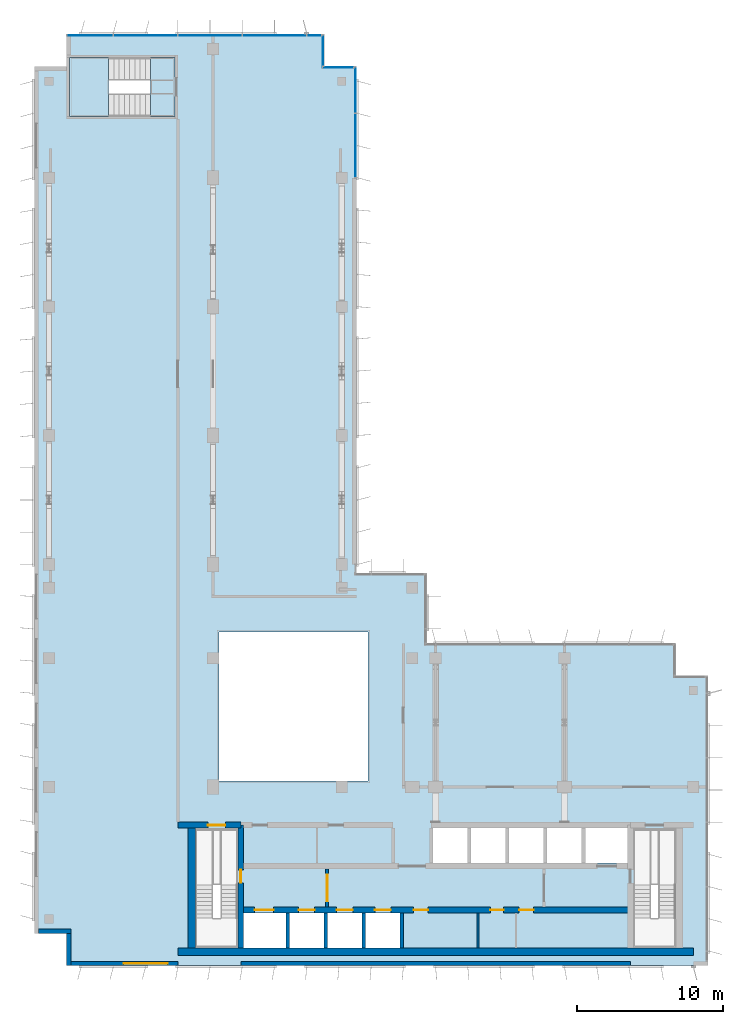
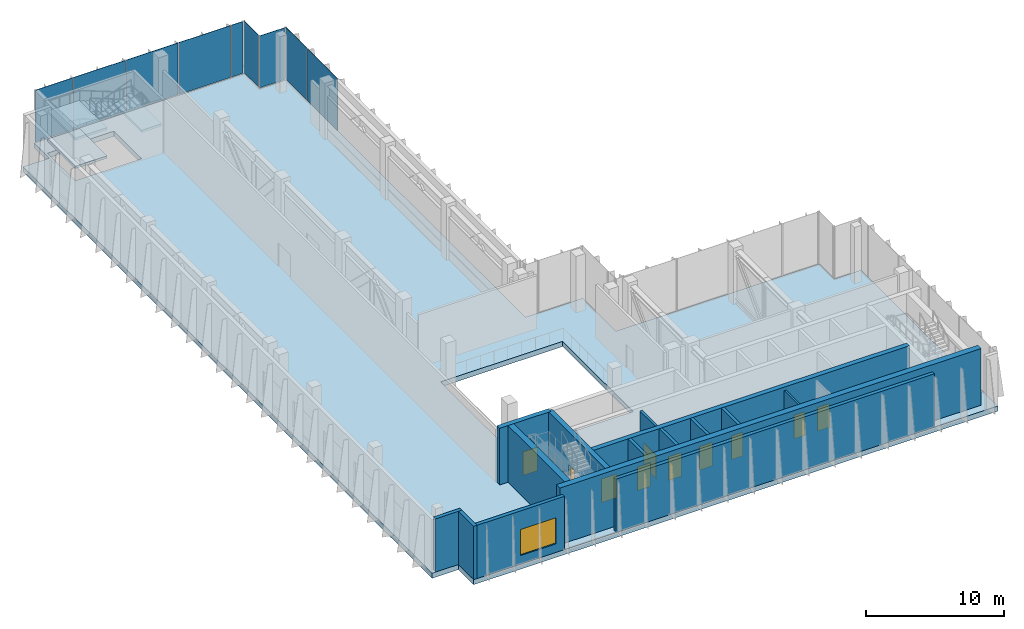
# One storey, part 7 of 13: 15 walls, 10 doors, 9 plates, 4 slabs, 1 window, 11 openings, 5 elements without a shape of their own.
"""IFC4 building model written with IfcOpenShell, lengths in metres."""

from ifc_helpers import new_model, si_unit, direction, frame, frame_2d, origin, origin_2d, place, context, subcontext, project, spatial, polyline, rectangle, outline, extrude, source, transform, mapped, material, layer, layer_set, type_object, element, fill, aggregate, save


model = new_model("IFC4")

# Units and contexts
model_context = context("Model", 3, precision=1e-05, world=origin(), true_north=direction((0.0, 1.0)))
body_context = subcontext(model_context, "Body", "Model", "MODEL_VIEW")
ifc_project = project(units=[si_unit("LENGTHUNIT", "METRE"), si_unit("AREAUNIT", "SQUARE_METRE"), si_unit("VOLUMEUNIT", "CUBIC_METRE"), si_unit("PLANEANGLEUNIT", "RADIAN"), si_unit("MASSUNIT", "GRAM", prefix="KILO")], contexts=[model_context])

# Site, building, storey
site_placement = place(None, origin())
site = spatial("IfcSite", under=ifc_project, at=site_placement, CompositionType="ELEMENT")
building_placement = place(site_placement, origin())
building = spatial("IfcBuilding", under=site, at=building_placement, Name="Kemantara Hotel Tower", CompositionType="ELEMENT")
storey_placement = place(building_placement, frame((0.0, 0.0, 256.10009765625)))
storey = spatial("IfcBuildingStorey", under=building, at=storey_placement, Name="L64", CompositionType="ELEMENT", Elevation=256.10009765625)

# Slab
ifc_material_1 = material(Name="Concrete fc 40 MPa", Category="concrete")
ifc_layer_1 = layer(ifc_material_1, 0.449951171875)
ifc_layer_set_1 = layer_set([ifc_layer_1], Name="Concrete fc 40 MPa")
slab_type_1 = type_object("IfcSlabType", Name="REINFORCED DIAPHRAGM SLAB 450", PredefinedType="FLOOR", material=ifc_layer_set_1)
slab_1_placement = place(storey_placement, frame((0.0, 0.0, -0.4501953125)))
element("IfcSlab", 1, at=slab_1_placement, inside=storey, type_object=slab_type_1, Name="FLOOR SLAB L64", PredefinedType="FLOOR", context=body_context, shape_type="SweptSolid", body=[
    extrude(outline(polyline([(22.0, 26.800048828125), (22.0, 61.39990234375), (19.800048828125, 61.39990234375), (19.800048828125, 63.60009765625), (2.199951171875, 63.60009765625), (2.199951171875, 61.39990234375), (0.0, 61.39990234375), (0.0, 2.199951171875), (2.199951171875, 2.199951171875), (2.199951171875, 0.0), (46.0, 0.0), (46.0, 19.800048828125), (43.800048828125, 19.800048828125), (43.800048828125, 22.0), (26.800048828125, 22.0), (26.800048828125, 26.800048828125), (22.0, 26.800048828125)]), holes=[polyline([(17.175048828125, 3.60009765625), (17.175048828125, 1.199951171875), (14.22509765625, 1.199951171875), (14.22509765625, 3.60009765625), (17.175048828125, 3.60009765625)]), polyline([(19.77490234375, 1.199951171875), (17.425048828125, 1.199951171875), (17.425048828125, 3.60009765625), (19.77490234375, 3.60009765625), (19.77490234375, 1.199951171875)]), polyline([(22.375, 1.199951171875), (20.02490234375, 1.199951171875), (20.02490234375, 3.60009765625), (22.375, 3.60009765625), (22.375, 1.199951171875)]), polyline([(24.97509765625, 3.60009765625), (24.97509765625, 1.199951171875), (22.625, 1.199951171875), (22.625, 3.60009765625), (24.97509765625, 3.60009765625)]), polyline([(11.0, 1.199951171875), (11.0, 5.49951171875), (13.89990234375, 5.49951171875), (13.89990234375, 1.199951171875), (11.0, 1.199951171875)]), polyline([(22.800048828125, 12.60009765625), (12.60009765625, 12.60009765625), (12.60009765625, 22.800048828125), (22.800048828125, 22.800048828125), (22.800048828125, 12.60009765625)]), polyline([(2.39990234375, 58.0), (2.39990234375, 62.0), (7.949462890625, 62.0), (7.949462890625, 58.0), (2.39990234375, 58.0)]), polyline([(40.89990234375, 1.199951171875), (40.89990234375, 5.49951171875), (43.800048828125, 5.49951171875), (43.800048828125, 1.199951171875), (40.89990234375, 1.199951171875)]), polyline([(29.574951171875, 7.0), (27.22509765625, 7.0), (27.22509765625, 9.39990234375), (29.574951171875, 9.39990234375), (29.574951171875, 7.0)]), polyline([(32.175048828125, 7.0), (29.824951171875, 7.0), (29.824951171875, 9.39990234375), (32.175048828125, 9.39990234375), (32.175048828125, 7.0)]), polyline([(34.77490234375, 7.0), (32.425048828125, 7.0), (32.425048828125, 9.39990234375), (34.77490234375, 9.39990234375), (34.77490234375, 7.0)]), polyline([(37.375, 7.0), (35.02490234375, 7.0), (35.02490234375, 9.39990234375), (37.375, 9.39990234375), (37.375, 7.0)]), polyline([(40.574951171875, 7.0), (37.625, 7.0), (37.625, 9.39990234375), (40.574951171875, 9.39990234375), (40.574951171875, 7.0)])]), origin(), (0.0, 0.0, 1.0), 0.4501953125),
])

# Stair, slabs
stair_type = type_object("IfcStairType", Name="Stair 1550 wide 36 risers of 139 x 360 mm", PredefinedType="HALF_TURN_STAIR", material=ifc_material_1)
stair_placement = place(storey_placement, origin())
stair = element("IfcStair", 2, at=stair_placement, inside=storey, type_object=stair_type, Name="L64 Exit stair ST4", PredefinedType="HALF_TURN_STAIR")
ifc_layer_2 = layer(ifc_material_1, 0.199951171875)
ifc_layer_set_2 = layer_set([ifc_layer_2], Name="Concrete fc 40 MPa")
slab_type_2 = type_object("IfcSlabType", Name="Stair landing 200 mm", PredefinedType="LANDING", material=ifc_layer_set_2)
slab_2_placement = place(storey_placement, frame((0.0, 0.0, 1.0498046875)))
slab_2 = element("IfcSlab", 3, at=slab_2_placement, type_object=slab_type_2, Name="ST4 landing 1", PredefinedType="LANDING", context=body_context, shape_type="SweptSolid", body=[
    extrude(outline(polyline([(5.070068359375, 62.0), (2.39990234375, 62.0), (2.39990234375, 58.0), (5.070068359375, 58.0), (5.070068359375, 62.0)])), origin(), (0.0, 0.0, 1.0), 0.2001953125),
])
slab_3_placement = place(storey_placement, frame((0.0, 0.0, 2.2998046875)))
slab_3 = element("IfcSlab", 4, at=slab_3_placement, type_object=slab_type_2, Name="ST4 landing 2", PredefinedType="LANDING", context=body_context, shape_type="SweptSolid", body=[
    extrude(outline(polyline([(9.60009765625, 62.0), (7.949951171875, 62.0), (7.949951171875, 58.0), (9.60009765625, 58.0), (9.60009765625, 62.0)])), origin(), (0.0, 0.0, 1.0), 0.2001953125),
])
slab_4_placement = place(storey_placement, frame((0.0, 0.0, 3.5498046875)))
slab_4 = element("IfcSlab", 5, at=slab_4_placement, type_object=slab_type_2, Name="ST4 landing 3", PredefinedType="LANDING", context=body_context, shape_type="SweptSolid", body=[
    extrude(outline(polyline([(5.070068359375, 62.0), (2.39990234375, 62.0), (2.39990234375, 58.0), (5.070068359375, 58.0), (5.070068359375, 62.0)])), origin(), (0.0, 0.0, 1.0), 0.2001953125),
])
aggregate(stair, [slab_2, slab_3, slab_4])

# Curtain wall, plates
ifc_material_2 = material(Name="Low-E tinted double insulated glass 36 mm", Category="glass")
curtain_wall_type = type_object("IfcCurtainWallType", Name="TOWER CURTAIN WALL, FRONT FACES", PredefinedType="USERDEFINED", material=ifc_material_2)
curtain_wall_1_placement = place(storey_placement, origin())
curtain_wall_1 = element("IfcCurtainWall", 6, at=curtain_wall_1_placement, inside=storey, type_object=curtain_wall_type, Name="CW4 L64 T4-R02-1", ObjectType="TOWER CURTAIN WALL, FRONT FACES", PredefinedType="USERDEFINED")
ifc_layer_3 = layer(ifc_material_2, 0.035888671875)
ifc_layer_set_3 = layer_set([ifc_layer_3], Name="Low-E tinted double insulated glass 36 mm")
plate_type = type_object("IfcPlateType", Name="TOWER CURTAIN WALL, FRONT FACES PANEL", PredefinedType="CURTAIN_PANEL", material=ifc_layer_set_3)
shared_shape_1 = source(origin(), body_context, "Body", "SweptSolid", [
    extrude(rectangle(XDim=4.340087890625, YDim=0.035888671875, at=origin_2d()), origin(), (0.0, 0.0, 1.0), 4.580078125),
])
plate_1_placement = place(storey_placement, frame((16.39990234375, 63.52490234375, 0.119873046875), z_axis=(0.0, 0.0, 1.0), x_axis=(-1.0, 0.0, 0.0)))
plate_1 = element("IfcPlate", 7, at=plate_1_placement, type_object=plate_type, Name="CW4 glass panel T4-R02-1.2", PredefinedType="CURTAIN_PANEL", context=body_context, shape_type="MappedRepresentation", body=[
    mapped(shared_shape_1, transform((0.0, 0.0, 0.0))),
])
plate_2_placement = place(storey_placement, frame((12.0, 63.52490234375, 0.119873046875), z_axis=(0.0, 0.0, 1.0), x_axis=(-1.0, 0.0, 0.0)))
plate_2 = element("IfcPlate", 8, at=plate_2_placement, type_object=plate_type, Name="CW4 glass panel T4-R02-1.3", PredefinedType="CURTAIN_PANEL", context=body_context, shape_type="MappedRepresentation", body=[
    mapped(shared_shape_1, transform((0.0, 0.0, 0.0))),
])
plate_3_placement = place(storey_placement, frame((7.60009765625, 63.52490234375, 0.119873046875), z_axis=(0.0, 0.0, 1.0), x_axis=(-1.0, 0.0, 0.0)))
plate_3 = element("IfcPlate", 9, at=plate_3_placement, type_object=plate_type, Name="CW4 glass panel T4-R02-1.4", PredefinedType="CURTAIN_PANEL", context=body_context, shape_type="MappedRepresentation", body=[
    mapped(shared_shape_1, transform((0.0, 0.0, 0.0))),
])

# Curtain wall, plate
curtain_wall_2_placement = place(storey_placement, origin())
curtain_wall_2 = element("IfcCurtainWall", 10, at=curtain_wall_2_placement, inside=storey, type_object=curtain_wall_type, Name="CW4 L64 T4-R15-2", ObjectType="TOWER CURTAIN WALL, FRONT FACES", PredefinedType="USERDEFINED")
plate_4_placement = place(storey_placement, frame((21.925048828125, 56.0, 0.119873046875), z_axis=(0.0, 0.0, 1.0), x_axis=(0.0, 1.0, 0.0)))
plate_4 = element("IfcPlate", 11, at=plate_4_placement, type_object=plate_type, Name="CW4 glass panel T4-R15-2.1", PredefinedType="CURTAIN_PANEL", context=body_context, shape_type="MappedRepresentation", body=[
    mapped(shared_shape_1, transform((0.0, 0.0, 0.0))),
])

# Plate
shared_shape_2 = source(origin(), body_context, "Body", "SweptSolid", [
    extrude(rectangle(XDim=3.110107421875, YDim=0.035888671875, at=origin_2d()), origin(), (0.0, 0.0, 1.0), 4.580078125),
])
plate_5_placement = place(storey_placement, frame((3.81494140625, 63.52490234375, 0.119873046875), z_axis=(0.0, 0.0, 1.0), x_axis=(-1.0, 0.0, 0.0)))
plate_5 = element("IfcPlate", 12, at=plate_5_placement, type_object=plate_type, Name="CW4 glass panel T4-R02-1.5", PredefinedType="CURTAIN_PANEL", context=body_context, shape_type="MappedRepresentation", body=[
    mapped(shared_shape_2, transform((0.0, 0.0, 0.0))),
])

plate_6_placement = place(storey_placement, frame((21.925048828125, 59.784912109375, 0.119873046875), z_axis=(0.0, 0.0, 1.0), x_axis=(0.0, 1.0, 0.0)))
plate_6 = element("IfcPlate", 13, at=plate_6_placement, type_object=plate_type, Name="CW4 glass panel T4-R15-2.2", PredefinedType="CURTAIN_PANEL", context=body_context, shape_type="MappedRepresentation", body=[
    mapped(shared_shape_2, transform((0.0, 0.0, 0.0))),
])

aggregate(curtain_wall_2, [plate_4, plate_6])

# Curtain wall, plate
curtain_wall_3_placement = place(storey_placement, origin())
curtain_wall_3 = element("IfcCurtainWall", 14, at=curtain_wall_3_placement, inside=storey, type_object=curtain_wall_type, Name="CW4 L64 T4-R00-1", ObjectType="TOWER CURTAIN WALL, FRONT FACES", PredefinedType="USERDEFINED")
shared_shape_3 = source(origin(), body_context, "Body", "SweptSolid", [
    extrude(rectangle(XDim=2.080078125, YDim=0.035888671875, at=origin_2d()), origin(), (0.0, 0.0, 1.0), 4.580078125),
])
plate_7_placement = place(storey_placement, frame((20.75, 61.324951171875, 0.119873046875), z_axis=(0.0, 0.0, 1.0), x_axis=(-1.0, 0.0, 0.0)))
plate_7 = element("IfcPlate", 15, at=plate_7_placement, type_object=plate_type, Name="CW4 glass panel T4-R00-1.1", PredefinedType="CURTAIN_PANEL", context=body_context, shape_type="MappedRepresentation", body=[
    mapped(shared_shape_3, transform((0.0, 0.0, 0.0))),
])
aggregate(curtain_wall_3, [plate_7])

curtain_wall_4_placement = place(storey_placement, origin())
curtain_wall_4 = element("IfcCurtainWall", 16, at=curtain_wall_4_placement, inside=storey, type_object=curtain_wall_type, Name="CW4 L64 T4-R01-1", ObjectType="TOWER CURTAIN WALL, FRONT FACES", PredefinedType="USERDEFINED")
plate_8_placement = place(storey_placement, frame((19.72509765625, 62.5, 0.119873046875), z_axis=(0.0, 0.0, 1.0), x_axis=(0.0, 1.0, 0.0)))
plate_8 = element("IfcPlate", 17, at=plate_8_placement, type_object=plate_type, Name="CW4 glass panel T4-R01-1.1", PredefinedType="CURTAIN_PANEL", context=body_context, shape_type="MappedRepresentation", body=[
    mapped(shared_shape_3, transform((0.0, 0.0, 0.0))),
])
aggregate(curtain_wall_4, [plate_8])

# Plate
shared_shape_4 = source(origin(), body_context, "Body", "SweptSolid", [
    extrude(rectangle(XDim=0.9599609375, YDim=0.035888671875, at=origin_2d()), origin(), (0.0, 0.0, 1.0), 4.580078125),
])
plate_9_placement = place(storey_placement, frame((19.110107421875, 63.52490234375, 0.119873046875), z_axis=(0.0, 0.0, 1.0), x_axis=(-1.0, 0.0, 0.0)))
plate_9 = element("IfcPlate", 18, at=plate_9_placement, type_object=plate_type, Name="CW4 glass panel T4-R02-1.1", PredefinedType="CURTAIN_PANEL", context=body_context, shape_type="MappedRepresentation", body=[
    mapped(shared_shape_4, transform((0.0, 0.0, 0.0))),
])

aggregate(curtain_wall_1, [plate_9, plate_1, plate_2, plate_3, plate_5])

# Walls
ifc_material_3 = material(Name="Bronze anodised aluminium cladding on insulated steel stud wall", Category="steel")
ifc_layer_4 = layer(ifc_material_3, 0.300048828125)
ifc_layer_set_4 = layer_set([ifc_layer_4], Name="Bronze anodised aluminium cladding on insulated steel stud wall")
wall_type_1 = type_object("IfcWallType", Name="BRONZE METAL-CLAD EXTERNAL WALL 300", PredefinedType="STANDARD", material=ifc_layer_set_4)
for number, where, z_axis, x_axis, name in (
    (19, (0.300048828125, 2.35009765625, 0.0), (0.0, 0.0, 1.0), (1.0, 0.0, 0.0), "EXTERNAL WALL L64 T4-R06"),
    (20, (2.35009765625, 2.199951171875, 0.0), (0.0, 0.0, 1.0), (0.0, -1.0, 0.0), "EXTERNAL WALL L64 T4-R07"),
):
    element("IfcWall", number, at=place(storey_placement, frame(where, z_axis=z_axis, x_axis=x_axis)), inside=storey, type_object=wall_type_1, Name=name, PredefinedType="STANDARD", context=body_context, shape_type="SweptSolid", body=[
        extrude(rectangle(XDim=2.199951171875, YDim=0.300048828125, at=frame_2d((1.10009765625, 0.0))), origin(), (0.0, 0.0, 1.0), 4.699951171875),
    ])

# Wall, opening, window
wall_1_placement = place(storey_placement, frame((2.5, 0.14990234375, 0.0), z_axis=(0.0, 0.0, 1.0), x_axis=(1.0, 0.0, 0.0)))
wall_1 = element("IfcWall", 21, at=wall_1_placement, inside=storey, type_object=wall_type_1, Name="EXTERNAL WALL L64 T4-R08", PredefinedType="STANDARD", context=body_context, shape_type="SweptSolid", body=[
    extrude(rectangle(XDim=7.300048828125, YDim=0.300048828125, at=frame_2d((3.64990234375, 0.0))), origin(), (0.0, 0.0, 1.0), 4.699951171875),
])
opening_1_placement = place(wall_1_placement, frame((3.60009765625, 0.0, 0.75)))
opening_1 = element("IfcOpeningElement", 22, at=opening_1_placement, cuts=wall_1, Name="Opening W1", PredefinedType="OPENING", context=body_context, shape_type="SweptSolid", body=[
    extrude(rectangle(XDim=3.0, YDim=2.300048828125, at=frame_2d((1.5, 1.14990234375))), frame((0.0, 0.159912109375, 0.0), z_axis=(0.0, -1.0, 0.0), x_axis=(1.0, 0.0, 0.0)), (0.0, 0.0, 1.0), 0.320068359375),
])
ifc_material_4 = material(Name="Low-E tinted double insulated glass in bronze anodised aluminium frame", Category="aluminium")
window_type = type_object("IfcWindowType", Name="CHICAGO WINDOW, TRIPLE PANEL 3000x2300", PartitioningType="TRIPLE_PANEL_VERTICAL", PredefinedType="WINDOW", material=ifc_material_4)
window_placement = place(opening_1_placement, origin())
window = element("IfcWindow", 23, at=window_placement, inside=storey, type_object=window_type, Name="CHICAGO WINDOW L64 T4-R08-54", OverallHeight=2.300048828125, OverallWidth=3.0, PartitioningType="SINGLE_PANEL", PredefinedType="WINDOW", context=body_context, shape_type="SweptSolid", body=[
    extrude(rectangle(XDim=3.0, YDim=2.300048828125, at=frame_2d((1.5, 1.14990234375))), frame((0.0, 0.030029296875, 0.0), z_axis=(0.0, -1.0, 0.0), x_axis=(1.0, 0.0, 0.0)), (0.0, 0.0, 1.0), 0.06005859375),
])
fill(opening_1, window)

# Walls
wall_2_placement = place(storey_placement, frame((14.10009765625, 0.14990234375, 0.0), z_axis=(0.0, 0.0, 1.0), x_axis=(1.0, 0.0, 0.0)))
element("IfcWall", 24, at=wall_2_placement, inside=storey, type_object=wall_type_1, Name="EXTERNAL WALL L64 T4-R08-2", PredefinedType="STANDARD", context=body_context, shape_type="SweptSolid", body=[
    extrude(rectangle(XDim=26.599853515625, YDim=0.300048828125, at=frame_2d((13.2998046875, 0.0))), origin(), (0.0, 0.0, 1.0), 4.699951171875),
])
ifc_material_5 = material(Name="Concrete fc 60 MPa", Category="concrete")
ifc_layer_5 = layer(ifc_material_5, 0.25)
ifc_layer_set_5 = layer_set([ifc_layer_5], Name="Concrete fc 60 MPa")
wall_type_2 = type_object("IfcWallType", Name="CORE WALL 250 FC60", PredefinedType="SHEAR", material=ifc_layer_set_5)
for number, where, z_axis, x_axis, name in (
    (25, (17.300048828125, 1.199951171875, 0.0), (0.0, 0.0, 1.0), (0.0, 1.0, 0.0), "CORE WALL CW-DS17.3"),
    (26, (19.89990234375, 1.199951171875, 0.0), (0.0, 0.0, 1.0), (0.0, 1.0, 0.0), "CORE WALL CW-DS19.9"),
    (27, (22.5, 1.199951171875, 0.0), (0.0, 0.0, 1.0), (0.0, 1.0, 0.0), "CORE WALL CW-DS22.5"),
    (28, (25.10009765625, 1.199951171875, 0.0), (0.0, 0.0, 1.0), (0.0, 1.0, 0.0), "CORE WALL CW-DS25.1"),
):
    element("IfcWall", number, at=place(storey_placement, frame(where, z_axis=z_axis, x_axis=x_axis)), inside=storey, type_object=wall_type_2, Name=name, PredefinedType="SHEAR", context=body_context, shape_type="SweptSolid", body=[
        extrude(rectangle(XDim=2.400146484375, YDim=0.25, at=frame_2d((1.2001953125, 0.0))), origin(), (0.0, 0.0, 1.0), 5.0),
    ])

# Wall, opening, door
ifc_layer_6 = layer(ifc_material_5, 0.39990234375)
ifc_layer_set_6 = layer_set([ifc_layer_6], Name="Concrete fc 60 MPa")
wall_type_3 = type_object("IfcWallType", Name="CORE WALL 400 FC60", PredefinedType="SHEAR", material=ifc_layer_set_6)
wall_3_placement = place(storey_placement, frame((9.800048828125, 9.60009765625, 0.0), z_axis=(0.0, 0.0, 1.0), x_axis=(1.0, 0.0, 0.0)))
wall_3 = element("IfcWall", 29, at=wall_3_placement, inside=storey, type_object=wall_type_3, Name="CORE WALL CW-N1", PredefinedType="SHEAR", context=body_context, shape_type="SweptSolid", body=[
    extrude(rectangle(XDim=4.300048828125, YDim=0.39990234375, at=frame_2d((2.14990234375, 0.0))), origin(), (0.0, 0.0, 1.0), 5.0),
])
opening_2_placement = place(wall_3_placement, frame((2.050048828125, 0.0, 0.0)))
opening_2 = element("IfcOpeningElement", 30, at=opening_2_placement, cuts=wall_3, Name="Opening C38-ST1-C", PredefinedType="OPENING", context=body_context, shape_type="SweptSolid", body=[
    extrude(rectangle(XDim=1.199951171875, YDim=2.10009765625, at=frame_2d((0.60009765625, 1.050048828125))), frame((0.0, 0.2099609375, 0.0), z_axis=(0.0, -1.0, 0.0), x_axis=(1.0, 0.0, 0.0)), (0.0, 0.0, 1.0), 0.419921875),
])
ifc_material_6 = material(Name="Steel fire door", Category="steel")
door_type_1 = type_object("IfcDoorType", Name="Fire door FD90 1200 x 2100", OperationType="NOTDEFINED", PredefinedType="DOOR", material=ifc_material_6)
door_1_placement = place(opening_2_placement, frame((1.199951171875, 0.0, 0.0), z_axis=(0.0, 0.0, 1.0), x_axis=(-1.0, 0.0, 0.0)))
door_1 = element("IfcDoor", 31, at=door_1_placement, inside=storey, type_object=door_type_1, Name="Stair ST1 door to corridor", OperationType="SINGLE_SWING_LEFT", OverallHeight=2.10009765625, OverallWidth=1.199951171875, PredefinedType="DOOR", context=body_context, shape_type="SweptSolid", body=[
    extrude(rectangle(XDim=1.199951171875, YDim=2.10009765625, at=frame_2d((0.60009765625, 1.050048828125))), frame((0.0, 0.02490234375, 0.0), z_axis=(0.0, -1.0, 0.0), x_axis=(1.0, 0.0, 0.0)), (0.0, 0.0, 1.0), 0.050048828125),
])
fill(opening_2, door_1)

# Wall, openings, doors
wall_4_placement = place(storey_placement, frame((14.10009765625, 3.800048828125, 0.0), z_axis=(0.0, 0.0, 1.0), x_axis=(1.0, 0.0, 0.0)))
wall_4 = element("IfcWall", 32, at=wall_4_placement, inside=storey, type_object=wall_type_3, Name="CORE WALL CW-L1", PredefinedType="SHEAR", context=body_context, shape_type="SweptSolid", body=[
    extrude(rectangle(XDim=26.599853515625, YDim=0.39990234375, at=frame_2d((13.2998046875, 0.0))), origin(), (0.0, 0.0, 1.0), 5.0),
])
opening_3_placement = place(wall_4_placement, frame((0.949951171875, 0.0, 0.0)))
opening_3 = element("IfcOpeningElement", 33, at=opening_3_placement, cuts=wall_4, Name="Opening C38-LD-FF1", PredefinedType="OPENING", context=body_context, shape_type="SweptSolid", body=[
    extrude(rectangle(XDim=1.300048828125, YDim=2.10009765625, at=frame_2d((0.64990234375, 1.050048828125))), frame((0.0, 0.2099609375, 0.0), z_axis=(0.0, -1.0, 0.0), x_axis=(1.0, 0.0, 0.0)), (0.0, 0.0, 1.0), 0.419921875),
])
opening_4_placement = place(wall_4_placement, frame((3.949951171875, 0.0, 0.0)))
opening_4 = element("IfcOpeningElement", 34, at=opening_4_placement, cuts=wall_4, Name="Opening C38-LD-SV1", PredefinedType="OPENING", context=body_context, shape_type="SweptSolid", body=[
    extrude(rectangle(XDim=1.10009765625, YDim=2.10009765625, at=frame_2d((0.550048828125, 1.050048828125))), frame((0.0, 0.2099609375, 0.0), z_axis=(0.0, -1.0, 0.0), x_axis=(1.0, 0.0, 0.0)), (0.0, 0.0, 1.0), 0.419921875),
])
opening_5_placement = place(wall_4_placement, frame((6.550048828125, 0.0, 0.0)))
opening_5 = element("IfcOpeningElement", 35, at=opening_5_placement, cuts=wall_4, Name="Opening C38-LD-SV2", PredefinedType="OPENING", context=body_context, shape_type="SweptSolid", body=[
    extrude(rectangle(XDim=1.10009765625, YDim=2.10009765625, at=frame_2d((0.550048828125, 1.050048828125))), frame((0.0, 0.2099609375, 0.0), z_axis=(0.0, -1.0, 0.0), x_axis=(1.0, 0.0, 0.0)), (0.0, 0.0, 1.0), 0.419921875),
])
opening_6_placement = place(wall_4_placement, frame((9.14990234375, 0.0, 0.0)))
opening_6 = element("IfcOpeningElement", 36, at=opening_6_placement, cuts=wall_4, Name="Opening C38-LD-SV3", PredefinedType="OPENING", context=body_context, shape_type="SweptSolid", body=[
    extrude(rectangle(XDim=1.10009765625, YDim=2.10009765625, at=frame_2d((0.550048828125, 1.050048828125))), frame((0.0, 0.2099609375, 0.0), z_axis=(0.0, -1.0, 0.0), x_axis=(1.0, 0.0, 0.0)), (0.0, 0.0, 1.0), 0.419921875),
])
opening_7_placement = place(wall_4_placement, frame((11.800048828125, 0.0, 0.0)))
opening_7 = element("IfcOpeningElement", 37, at=opening_7_placement, cuts=wall_4, Name="Opening C38-R-SM1", PredefinedType="OPENING", context=body_context, shape_type="SweptSolid", body=[
    extrude(rectangle(XDim=1.0, YDim=2.10009765625, at=frame_2d((0.5, 1.050048828125))), frame((0.0, 0.2099609375, 0.0), z_axis=(0.0, -1.0, 0.0), x_axis=(1.0, 0.0, 0.0)), (0.0, 0.0, 1.0), 0.419921875),
])
opening_8_placement = place(wall_4_placement, frame((17.050048828125, 0.0, 0.0)))
opening_8 = element("IfcOpeningElement", 38, at=opening_8_placement, cuts=wall_4, Name="Opening C38-R-SM2", PredefinedType="OPENING", context=body_context, shape_type="SweptSolid", body=[
    extrude(rectangle(XDim=0.89990234375, YDim=2.10009765625, at=frame_2d((0.449951171875, 1.050048828125))), frame((0.0, 0.2099609375, 0.0), z_axis=(0.0, -1.0, 0.0), x_axis=(1.0, 0.0, 0.0)), (0.0, 0.0, 1.0), 0.419921875),
])
opening_9_placement = place(wall_4_placement, frame((19.0, 0.0, 0.0)))
opening_9 = element("IfcOpeningElement", 39, at=opening_9_placement, cuts=wall_4, Name="Opening C38-R-SM3", PredefinedType="OPENING", context=body_context, shape_type="SweptSolid", body=[
    extrude(rectangle(XDim=1.0, YDim=2.10009765625, at=frame_2d((0.5, 1.050048828125))), frame((0.0, 0.2099609375, 0.0), z_axis=(0.0, -1.0, 0.0), x_axis=(1.0, 0.0, 0.0)), (0.0, 0.0, 1.0), 0.419921875),
])
door_type_2 = type_object("IfcDoorType", Name="Fire door FD60 1000 x 2100", OperationType="NOTDEFINED", PredefinedType="DOOR", material=ifc_material_6)
door_2_placement = place(opening_7_placement, frame((1.0, 0.0, 0.0), z_axis=(0.0, 0.0, 1.0), x_axis=(-1.0, 0.0, 0.0)))
door_2 = element("IfcDoor", 40, at=door_2_placement, inside=storey, type_object=door_type_2, Name="Switch Room door", OperationType="SINGLE_SWING_RIGHT", OverallHeight=2.10009765625, OverallWidth=1.0, PredefinedType="DOOR", context=body_context, shape_type="SweptSolid", body=[
    extrude(rectangle(XDim=1.0, YDim=2.10009765625, at=frame_2d((0.5, 1.050048828125))), frame((0.0, 0.02490234375, 0.0), z_axis=(0.0, -1.0, 0.0), x_axis=(1.0, 0.0, 0.0)), (0.0, 0.0, 1.0), 0.050048828125),
])
fill(opening_7, door_2)
door_3_placement = place(opening_9_placement, frame((1.0, 0.0, 0.0), z_axis=(0.0, 0.0, 1.0), x_axis=(-1.0, 0.0, 0.0)))
door_3 = element("IfcDoor", 41, at=door_3_placement, inside=storey, type_object=door_type_2, Name="Pump And Tank Room door", OperationType="SINGLE_SWING_LEFT", OverallHeight=2.10009765625, OverallWidth=1.0, PredefinedType="DOOR", context=body_context, shape_type="SweptSolid", body=[
    extrude(rectangle(XDim=1.0, YDim=2.10009765625, at=frame_2d((0.5, 1.050048828125))), frame((0.0, 0.02490234375, 0.0), z_axis=(0.0, -1.0, 0.0), x_axis=(1.0, 0.0, 0.0)), (0.0, 0.0, 1.0), 0.050048828125),
])
fill(opening_9, door_3)
door_type_3 = type_object("IfcDoorType", Name="Fire door FD60 900 x 2100", OperationType="NOTDEFINED", PredefinedType="DOOR", material=ifc_material_6)
door_4_placement = place(opening_8_placement, frame((0.89990234375, 0.0, 0.0), z_axis=(0.0, 0.0, 1.0), x_axis=(-1.0, 0.0, 0.0)))
door_4 = element("IfcDoor", 42, at=door_4_placement, inside=storey, type_object=door_type_3, Name="Electrical Riser Room door", OperationType="SINGLE_SWING_LEFT", OverallHeight=2.10009765625, OverallWidth=0.89990234375, PredefinedType="DOOR", context=body_context, shape_type="SweptSolid", body=[
    extrude(rectangle(XDim=0.89990234375, YDim=2.10009765625, at=frame_2d((0.449951171875, 1.050048828125))), frame((0.0, 0.02490234375, 0.0), z_axis=(0.0, -1.0, 0.0), x_axis=(1.0, 0.0, 0.0)), (0.0, 0.0, 1.0), 0.050048828125),
])
fill(opening_8, door_4)
ifc_material_7 = material(Name="Stainless steel lift door", Category="steel")
door_type_4 = type_object("IfcDoorType", Name="Lift landing door 1100 x 2100 FD60", OperationType="DOUBLE_DOOR_SLIDING", PredefinedType="DOOR", material=ifc_material_7)
door_5_placement = place(opening_4_placement, origin())
door_5 = element("IfcDoor", 43, at=door_5_placement, inside=storey, type_object=door_type_4, Name="Lift SV1 landing door", OperationType="DOUBLE_DOOR_SLIDING", OverallHeight=2.10009765625, OverallWidth=1.10009765625, PredefinedType="DOOR", context=body_context, shape_type="SweptSolid", body=[
    extrude(rectangle(XDim=1.10009765625, YDim=2.10009765625, at=frame_2d((0.550048828125, 1.050048828125))), frame((0.0, 0.02490234375, 0.0), z_axis=(0.0, -1.0, 0.0), x_axis=(1.0, 0.0, 0.0)), (0.0, 0.0, 1.0), 0.050048828125),
])
fill(opening_4, door_5)
door_6_placement = place(opening_5_placement, origin())
door_6 = element("IfcDoor", 44, at=door_6_placement, inside=storey, type_object=door_type_4, Name="Lift SV2 landing door", OperationType="DOUBLE_DOOR_SLIDING", OverallHeight=2.10009765625, OverallWidth=1.10009765625, PredefinedType="DOOR", context=body_context, shape_type="SweptSolid", body=[
    extrude(rectangle(XDim=1.10009765625, YDim=2.10009765625, at=frame_2d((0.550048828125, 1.050048828125))), frame((0.0, 0.02490234375, 0.0), z_axis=(0.0, -1.0, 0.0), x_axis=(1.0, 0.0, 0.0)), (0.0, 0.0, 1.0), 0.050048828125),
])
fill(opening_5, door_6)
door_7_placement = place(opening_6_placement, origin())
door_7 = element("IfcDoor", 45, at=door_7_placement, inside=storey, type_object=door_type_4, Name="Lift SV3 landing door", OperationType="DOUBLE_DOOR_SLIDING", OverallHeight=2.10009765625, OverallWidth=1.10009765625, PredefinedType="DOOR", context=body_context, shape_type="SweptSolid", body=[
    extrude(rectangle(XDim=1.10009765625, YDim=2.10009765625, at=frame_2d((0.550048828125, 1.050048828125))), frame((0.0, 0.02490234375, 0.0), z_axis=(0.0, -1.0, 0.0), x_axis=(1.0, 0.0, 0.0)), (0.0, 0.0, 1.0), 0.050048828125),
])
fill(opening_6, door_7)
door_type_5 = type_object("IfcDoorType", Name="Lift landing door 1300 x 2100 FD90", OperationType="DOUBLE_DOOR_SLIDING", PredefinedType="DOOR", material=ifc_material_7)
door_8_placement = place(opening_3_placement, origin())
door_8 = element("IfcDoor", 46, at=door_8_placement, inside=storey, type_object=door_type_5, Name="Lift FF1 landing door", OperationType="DOUBLE_DOOR_SLIDING", OverallHeight=2.10009765625, OverallWidth=1.300048828125, PredefinedType="DOOR", context=body_context, shape_type="SweptSolid", body=[
    extrude(rectangle(XDim=1.300048828125, YDim=2.10009765625, at=frame_2d((0.64990234375, 1.050048828125))), frame((0.0, 0.02490234375, 0.0), z_axis=(0.0, -1.0, 0.0), x_axis=(1.0, 0.0, 0.0)), (0.0, 0.0, 1.0), 0.050048828125),
])
fill(opening_3, door_8)

# Wall, opening, door
wall_5_placement = place(storey_placement, frame((14.10009765625, 1.199951171875, 0.0), z_axis=(0.0, 0.0, 1.0), x_axis=(0.0, 1.0, 0.0)))
wall_5 = element("IfcWall", 47, at=wall_5_placement, inside=storey, type_object=wall_type_3, Name="CORE WALL CW-ST1E", PredefinedType="SHEAR", context=body_context, shape_type="SweptSolid", body=[
    extrude(rectangle(XDim=8.400146484375, YDim=0.39990234375, at=frame_2d((4.2001953125, 0.0))), origin(), (0.0, 0.0, 1.0), 5.0),
])
opening_10_placement = place(wall_5_placement, frame((4.449951171875, 0.0, 0.0)))
opening_10 = element("IfcOpeningElement", 48, at=opening_10_placement, cuts=wall_5, Name="Opening C38-ST1-F", PredefinedType="OPENING", context=body_context, shape_type="SweptSolid", body=[
    extrude(rectangle(XDim=0.89990234375, YDim=2.10009765625, at=frame_2d((0.449951171875, 1.050048828125))), frame((0.0, 0.2099609375, 0.0), z_axis=(0.0, -1.0, 0.0), x_axis=(1.0, 0.0, 0.0)), (0.0, 0.0, 1.0), 0.419921875),
])
door_type_6 = type_object("IfcDoorType", Name="Fire door FD90 900 x 2100", OperationType="NOTDEFINED", PredefinedType="DOOR", material=ifc_material_6)
door_9_placement = place(opening_10_placement, origin())
door_9 = element("IfcDoor", 49, at=door_9_placement, inside=storey, type_object=door_type_6, Name="Stair ST1 door to firefighting lobby", OperationType="SINGLE_SWING_RIGHT", OverallHeight=2.10009765625, OverallWidth=0.89990234375, PredefinedType="DOOR", context=body_context, shape_type="SweptSolid", body=[
    extrude(rectangle(XDim=0.89990234375, YDim=2.10009765625, at=frame_2d((0.449951171875, 1.050048828125))), frame((0.0, 0.02490234375, 0.0), z_axis=(0.0, -1.0, 0.0), x_axis=(1.0, 0.0, 0.0)), (0.0, 0.0, 1.0), 0.050048828125),
])
fill(opening_10, door_9)

# Walls
ifc_layer_7 = layer(ifc_material_5, 0.5)
ifc_layer_set_7 = layer_set([ifc_layer_7], Name="Concrete fc 60 MPa")
wall_type_4 = type_object("IfcWallType", Name="CORE WALL 500 FC60", PredefinedType="SHEAR", material=ifc_layer_set_7)
wall_6_placement = place(storey_placement, frame((9.800048828125, 0.949951171875, 0.0), z_axis=(0.0, 0.0, 1.0), x_axis=(1.0, 0.0, 0.0)))
element("IfcWall", 50, at=wall_6_placement, inside=storey, type_object=wall_type_4, Name="CORE WALL CW-S", PredefinedType="SHEAR", context=body_context, shape_type="SweptSolid", body=[
    extrude(rectangle(XDim=35.199951171875, YDim=0.5, at=frame_2d((17.60009765625, 0.0))), origin(), (0.0, 0.0, 1.0), 5.0),
])
wall_7_placement = place(storey_placement, frame((10.75, 1.199951171875, 0.0), z_axis=(0.0, 0.0, 1.0), x_axis=(0.0, 1.0, 0.0)))
element("IfcWall", 51, at=wall_7_placement, inside=storey, type_object=wall_type_4, Name="CORE WALL CW-W", PredefinedType="SHEAR", context=body_context, shape_type="SweptSolid", body=[
    extrude(rectangle(XDim=8.60009765625, YDim=0.5, at=frame_2d((4.300048828125, 0.0))), origin(), (0.0, 0.0, 1.0), 5.0),
])
ifc_material_8 = material(Name="Gypsum board partition")
ifc_layer_8 = layer(ifc_material_8, 0.14990234375)
ifc_layer_set_8 = layer_set([ifc_layer_8], Name="Gypsum board partition")
wall_type_5 = type_object("IfcWallType", Name="Gypsum board partition 150 mm", PredefinedType="PARTITIONING", material=ifc_layer_set_8)
wall_8_placement = place(storey_placement, frame((30.300048828125, 1.199951171875, 0.0), z_axis=(0.0, 0.0, 1.0), x_axis=(0.0, 1.0, 0.0)))
element("IfcWall", 52, at=wall_8_placement, inside=storey, type_object=wall_type_5, Name="Core room partition", PredefinedType="PARTITIONING", context=body_context, shape_type="SweptSolid", body=[
    extrude(rectangle(XDim=2.400146484375, YDim=0.14990234375, at=frame_2d((1.2001953125, 0.0))), origin(), (0.0, 0.0, 1.0), 4.699951171875),
])

# Wall, opening, door
ifc_material_9 = material(Name="Gypsum board shaft wall")
ifc_layer_9 = layer(ifc_material_9, 0.199951171875)
ifc_layer_set_9 = layer_set([ifc_layer_9], Name="Gypsum board shaft wall")
wall_type_6 = type_object("IfcWallType", Name="Gypsum board shaft wall 200 mm", PredefinedType="PARTITIONING", material=ifc_layer_set_9)
wall_9_placement = place(storey_placement, frame((20.0, 4.0, 0.0), z_axis=(0.0, 0.0, 1.0), x_axis=(0.0, 1.0, 0.0)))
wall_9 = element("IfcWall", 53, at=wall_9_placement, inside=storey, type_object=wall_type_6, Name="Firefighting lobby partition west", PredefinedType="PARTITIONING", context=body_context, shape_type="SweptSolid", body=[
    extrude(rectangle(XDim=2.60009765625, YDim=0.199951171875, at=frame_2d((1.300048828125, 0.0))), origin(), (0.0, 0.0, 1.0), 4.699951171875),
])
opening_11_placement = place(wall_9_placement, frame((0.39990234375, 0.0, 0.0)))
opening_11 = element("IfcOpeningElement", 54, at=opening_11_placement, cuts=wall_9, Name="Opening C38-FFW", PredefinedType="OPENING", context=body_context, shape_type="SweptSolid", body=[
    extrude(rectangle(XDim=1.800048828125, YDim=2.10009765625, at=frame_2d((0.89990234375, 1.050048828125))), frame((0.0, 0.10986328125, 0.0), z_axis=(0.0, -1.0, 0.0), x_axis=(1.0, 0.0, 0.0)), (0.0, 0.0, 1.0), 0.219970703125),
])
door_type_7 = type_object("IfcDoorType", Name="Fire door pair FD60 1800 x 2100", OperationType="DOUBLE_DOOR_SINGLE_SWING", PredefinedType="DOOR", material=ifc_material_6)
door_10_placement = place(opening_11_placement, origin())
door_10 = element("IfcDoor", 55, at=door_10_placement, inside=storey, type_object=door_type_7, Name="Firefighting lobby door west", OperationType="DOUBLE_DOOR_SINGLE_SWING", OverallHeight=2.10009765625, OverallWidth=1.800048828125, PredefinedType="DOOR", context=body_context, shape_type="SweptSolid", body=[
    extrude(rectangle(XDim=1.800048828125, YDim=2.10009765625, at=frame_2d((0.89990234375, 1.050048828125))), frame((0.0, 0.02490234375, 0.0), z_axis=(0.0, -1.0, 0.0), x_axis=(1.0, 0.0, 0.0)), (0.0, 0.0, 1.0), 0.050048828125),
])
fill(opening_11, door_10)

save(model, "model.ifc")
